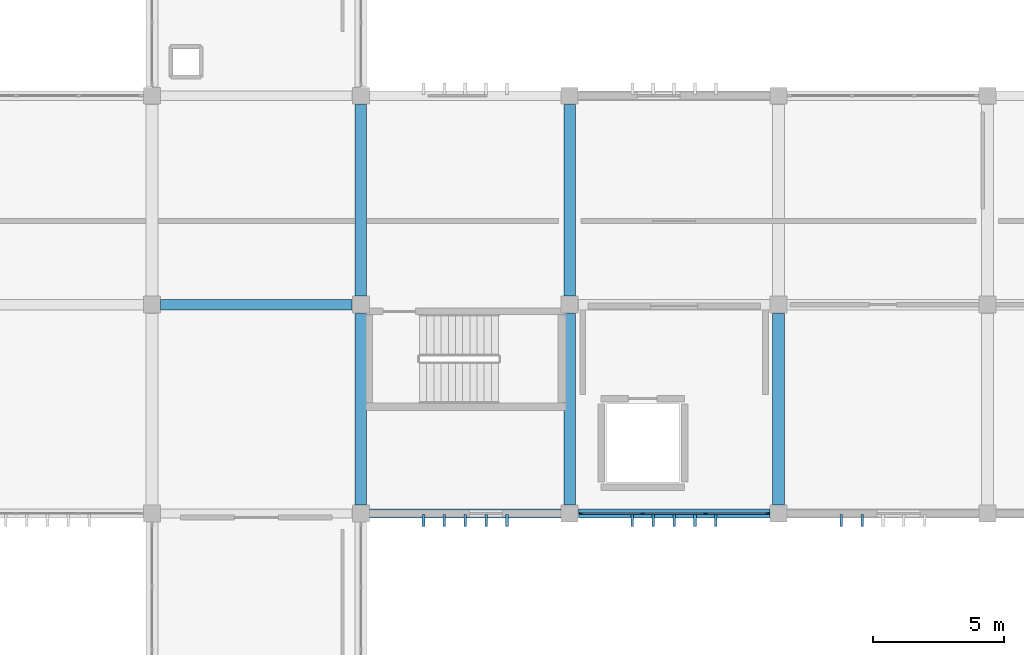
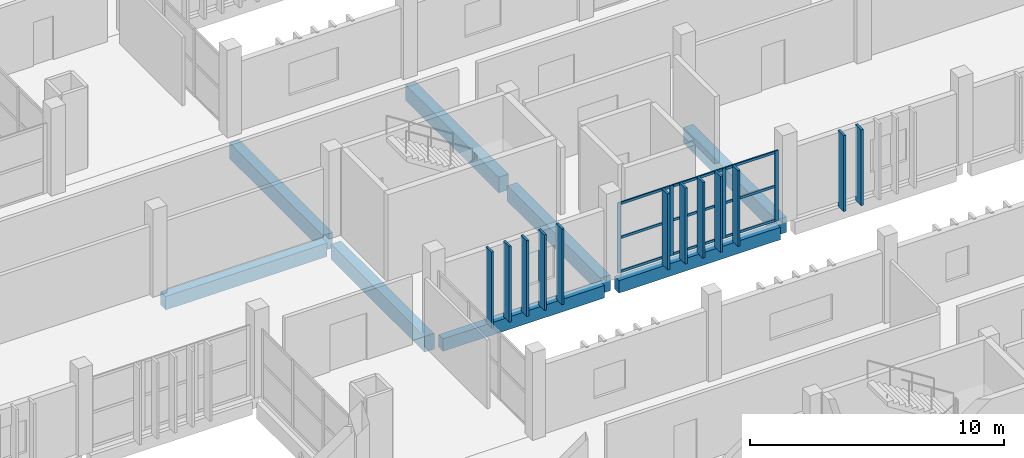
# One storey, part 25 of 137: 25 members, 8 beams, 1 element without a shape of its own.
"""IFC4 building model written with IfcOpenShell, lengths in metres."""

from ifc_helpers import new_model, si_unit, direction, frame, origin, origin_2d, place, context, subcontext, project, spatial, rectangle, extrude, material, layer, layer_set, material_profile, profile_set, type_object, element, aggregate, save


model = new_model("IFC4")

# Units and contexts
model_context = context("Model", 3, precision=1e-05, world=origin(), true_north=direction((0.0, 1.0)))
body_context = subcontext(model_context, "Body", "Model", "MODEL_VIEW")
ifc_project = project(units=[si_unit("LENGTHUNIT", "METRE"), si_unit("AREAUNIT", "SQUARE_METRE"), si_unit("VOLUMEUNIT", "CUBIC_METRE"), si_unit("PLANEANGLEUNIT", "RADIAN"), si_unit("MASSUNIT", "GRAM", prefix="KILO")], contexts=[model_context])

# Site, building, storey
site_placement = place(None, origin())
site = spatial("IfcSite", under=ifc_project, at=site_placement, CompositionType="ELEMENT")
building_placement = place(site_placement, origin())
building = spatial("IfcBuilding", under=site, at=building_placement, Name="Jelvoka-Kovrelna Polytechnic", CompositionType="ELEMENT")
storey_placement = place(building_placement, frame((0.0, 0.0, 9.60009765625)))
storey = spatial("IfcBuildingStorey", under=building, at=storey_placement, Name="L03", CompositionType="ELEMENT", Elevation=9.60009765625)

# Beams
ifc_material_1 = material(Name="Concrete C40/50", Category="concrete")
ifc_material_profile_1 = material_profile(ifc_material_1, rectangle(XDim=0.39990234375, YDim=0.64990234375, at=origin_2d()), Name="RC 400x650")
ifc_profile_set_1 = profile_set([ifc_material_profile_1], Name="Concrete C40/50")
beam_type_1 = type_object("IfcBeamType", Name="Beam_RC_400x650", PredefinedType="BEAM", material=ifc_profile_set_1)
beam_placement = place(storey_placement, frame((72.330078125, 40.0, -0.590087890625), z_axis=(1.0, 0.0, 0.0), x_axis=(0.0, 1.0, 0.0)))
element("IfcBeam", 1, at=beam_placement, inside=storey, type_object=beam_type_1, Name="L03 beam 0936", PredefinedType="BEAM", context=body_context, shape_type="SweptSolid", body=[
    extrude(rectangle(XDim=0.39990234375, YDim=0.64990234375, at=origin_2d()), origin(), (0.0, 0.0, 1.0), 7.33984375),
])
ifc_material_2 = material(Name="Concrete C40/50", Category="concrete")
ifc_material_profile_2 = material_profile(ifc_material_2, rectangle(XDim=0.449951171875, YDim=0.75, at=origin_2d()), Name="RC 450x750")
ifc_profile_set_2 = profile_set([ifc_material_profile_2], Name="Concrete C40/50")
beam_type_2 = type_object("IfcBeamType", Name="Beam_RC_450x750", PredefinedType="BEAM", material=ifc_profile_set_2)
for number, where, z_axis, x_axis, name in (
    (2, (80.0, 32.330078125, -0.64013671875), (0.0, 1.0, 0.0), (-1.0, 0.0, 0.0), "L03 beam 0953"),
    (3, (80.0, 40.330078125, -0.64013671875), (0.0, 1.0, 0.0), (-1.0, 0.0, 0.0), "L03 beam 0954"),
    (4, (88.0, 32.330078125, -0.64013671875), (0.0, 1.0, 0.0), (-1.0, 0.0, 0.0), "L03 beam 0955"),
    (5, (88.0, 40.330078125, -0.64013671875), (0.0, 1.0, 0.0), (-1.0, 0.0, 0.0), "L03 beam 0956"),
    (6, (96.0, 32.330078125, -0.64013671875), (0.0, 1.0, 0.0), (-1.0, 0.0, 0.0), "L03 beam 0957"),
):
    element("IfcBeam", number, at=place(storey_placement, frame(where, z_axis=z_axis, x_axis=x_axis)), inside=storey, type_object=beam_type_2, Name=name, PredefinedType="BEAM", context=body_context, shape_type="SweptSolid", body=[
        extrude(rectangle(XDim=0.449951171875, YDim=0.75, at=origin_2d()), origin(), (0.0, 0.0, 1.0), 7.33984375),
    ])

# Members
ifc_material_3 = material(Name="Precast concrete C40/50", Category="concrete")
ifc_material_profile_3 = material_profile(ifc_material_3, rectangle(XDim=0.10009765625, YDim=0.449951171875, at=origin_2d()), Name="PC 100x450")
ifc_profile_set_3 = profile_set([ifc_material_profile_3], Name="Precast concrete C40/50")
member_type_1 = type_object("IfcMemberType", Name="Louvre_Fin_100x450", PredefinedType="USERDEFINED", material=ifc_profile_set_3)
for number, where, z_axis, x_axis, name in (
    (7, (82.39990234375, 31.735107421875, -0.27001953125), (0.0, 0.0, 1.0), (1.0, 0.0, 0.0), "L03 B2W south vertical solar louvre fin 0666"),
    (8, (83.199951171875, 31.735107421875, -0.27001953125), (0.0, 0.0, 1.0), (1.0, 0.0, 0.0), "L03 B2W south vertical solar louvre fin 0667"),
    (9, (84.0, 31.735107421875, -0.27001953125), (0.0, 0.0, 1.0), (1.0, 0.0, 0.0), "L03 B2W south vertical solar louvre fin 0668"),
    (10, (84.800048828125, 31.735107421875, -0.27001953125), (0.0, 0.0, 1.0), (1.0, 0.0, 0.0), "L03 B2W south vertical solar louvre fin 0669"),
    (11, (85.60009765625, 31.735107421875, -0.27001953125), (0.0, 0.0, 1.0), (1.0, 0.0, 0.0), "L03 B2W south vertical solar louvre fin 0670"),
    (12, (90.39990234375, 31.735107421875, -0.27001953125), (0.0, 0.0, 1.0), (1.0, 0.0, 0.0), "L03 B2W south vertical solar louvre fin 0676"),
    (13, (91.199951171875, 31.735107421875, -0.27001953125), (0.0, 0.0, 1.0), (1.0, 0.0, 0.0), "L03 B2W south vertical solar louvre fin 0677"),
    (14, (92.0, 31.735107421875, -0.27001953125), (0.0, 0.0, 1.0), (1.0, 0.0, 0.0), "L03 B2W south vertical solar louvre fin 0678"),
    (15, (92.800048828125, 31.735107421875, -0.27001953125), (0.0, 0.0, 1.0), (1.0, 0.0, 0.0), "L03 B2W south vertical solar louvre fin 0679"),
    (16, (93.60009765625, 31.735107421875, -0.27001953125), (0.0, 0.0, 1.0), (1.0, 0.0, 0.0), "L03 B2W south vertical solar louvre fin 0680"),
    (17, (98.39990234375, 31.735107421875, -0.27001953125), (0.0, 0.0, 1.0), (1.0, 0.0, 0.0), "L03 B2W south vertical solar louvre fin 0686"),
    (18, (99.199951171875, 31.735107421875, -0.27001953125), (0.0, 0.0, 1.0), (1.0, 0.0, 0.0), "L03 B2W south vertical solar louvre fin 0687"),
):
    element("IfcMember", number, at=place(storey_placement, frame(where, z_axis=z_axis, x_axis=x_axis)), inside=storey, type_object=member_type_1, Name=name, ObjectType="SUNSHADE", PredefinedType="USERDEFINED", context=body_context, shape_type="SweptSolid", body=[
        extrude(rectangle(XDim=0.10009765625, YDim=0.449951171875, at=origin_2d()), origin(), (0.0, 0.0, 1.0), 3.64501953125),
    ])

# Curtain wall, members
ifc_material_4 = material(Name="Anodised aluminium 6063-T6", Category="aluminium")
ifc_layer = layer(ifc_material_4, 0.159912109375)
ifc_layer_set = layer_set([ifc_layer], Name="Anodised aluminium 6063-T6")
curtain_wall_type = type_object("IfcCurtainWallType", Name="CW_Recessed_A", PredefinedType="NOTDEFINED", material=ifc_layer_set)
curtain_wall_placement = place(storey_placement, origin())
curtain_wall = element("IfcCurtainWall", 19, at=curtain_wall_placement, inside=storey, type_object=curtain_wall_type, Name="L03 glazed curtain wall 023", PredefinedType="NOTDEFINED")
ifc_material_5 = material(Name="Anodised aluminium 6063-T6", Category="aluminium")
ifc_material_profile_4 = material_profile(ifc_material_5, rectangle(XDim=0.06005859375, YDim=0.159912109375, at=origin_2d()), Name="ALU 60x160")
ifc_profile_set_4 = profile_set([ifc_material_profile_4], Name="Anodised aluminium 6063-T6")
member_type_2 = type_object("IfcMemberType", Name="Mullion_M-01", PredefinedType="MULLION", material=ifc_profile_set_4)
member_1_placement = place(storey_placement, frame((95.570068359375, 32.0, -0.02490234375), z_axis=(0.0, 0.0, 1.0), x_axis=(0.0, -1.0, 0.0)))
member_1 = element("IfcMember", 20, at=member_1_placement, type_object=member_type_2, Name="CW-01 mullion 1", PredefinedType="MULLION", context=body_context, shape_type="SweptSolid", body=[
    extrude(rectangle(XDim=0.06005859375, YDim=0.159912109375, at=origin_2d()), origin(), (0.0, 0.0, 1.0), 3.375),
])
member_2_placement = place(storey_placement, frame((93.199951171875, 32.0, -0.02490234375), z_axis=(0.0, 0.0, 1.0), x_axis=(0.0, -1.0, 0.0)))
member_2 = element("IfcMember", 21, at=member_2_placement, type_object=member_type_2, Name="CW-01 mullion 2", PredefinedType="MULLION", context=body_context, shape_type="SweptSolid", body=[
    extrude(rectangle(XDim=0.06005859375, YDim=0.159912109375, at=origin_2d()), origin(), (0.0, 0.0, 1.0), 3.375),
])
member_3_placement = place(storey_placement, frame((90.800048828125, 32.0, -0.02490234375), z_axis=(0.0, 0.0, 1.0), x_axis=(0.0, -1.0, 0.0)))
member_3 = element("IfcMember", 22, at=member_3_placement, type_object=member_type_2, Name="CW-01 mullion 3", PredefinedType="MULLION", context=body_context, shape_type="SweptSolid", body=[
    extrude(rectangle(XDim=0.06005859375, YDim=0.159912109375, at=origin_2d()), origin(), (0.0, 0.0, 1.0), 3.375),
])
member_4_placement = place(storey_placement, frame((88.429931640625, 32.0, -0.02490234375), z_axis=(0.0, 0.0, 1.0), x_axis=(0.0, -1.0, 0.0)))
member_4 = element("IfcMember", 23, at=member_4_placement, type_object=member_type_2, Name="CW-01 mullion 4", PredefinedType="MULLION", context=body_context, shape_type="SweptSolid", body=[
    extrude(rectangle(XDim=0.06005859375, YDim=0.159912109375, at=origin_2d()), origin(), (0.0, 0.0, 1.0), 3.375),
])

# Beams
ifc_material_6 = material(Name="Concrete C40/50", Category="concrete")
ifc_material_profile_5 = material_profile(ifc_material_6, rectangle(XDim=0.35009765625, YDim=0.60009765625, at=origin_2d()), Name="RC 350x600")
ifc_profile_set_5 = profile_set([ifc_material_profile_5], Name="Concrete C40/50")
beam_type_3 = type_object("IfcBeamType", Name="Spandrel_RC_350x600", PredefinedType="SPANDREL", material=ifc_profile_set_5)
for number, where, z_axis, x_axis, name in (
    (24, (80.330078125, 32.0, -0.565185546875), (1.0, 0.0, 0.0), (0.0, 1.0, 0.0), "L03 beam 0930"),
    (25, (88.330078125, 32.0, -0.565185546875), (1.0, 0.0, 0.0), (0.0, 1.0, 0.0), "L03 beam 0931"),
):
    element("IfcBeam", number, at=place(storey_placement, frame(where, z_axis=z_axis, x_axis=x_axis)), inside=storey, type_object=beam_type_3, Name=name, PredefinedType="SPANDREL", context=body_context, shape_type="SweptSolid", body=[
        extrude(rectangle(XDim=0.35009765625, YDim=0.60009765625, at=origin_2d()), origin(), (0.0, 0.0, 1.0), 7.33984375),
    ])

# Member
ifc_material_7 = material(Name="Anodised aluminium 6063-T6", Category="aluminium")
ifc_material_profile_6 = material_profile(ifc_material_7, rectangle(XDim=0.06005859375, YDim=0.1201171875, at=origin_2d()), Name="ALU 60x120")
ifc_profile_set_6 = profile_set([ifc_material_profile_6], Name="Anodised aluminium 6063-T6")
member_type_3 = type_object("IfcMemberType", Name="Transom_T-01", PredefinedType="USERDEFINED", material=ifc_profile_set_6)
member_5_placement = place(storey_placement, frame((95.5400390625, 32.0, 0.02978515625), z_axis=(-1.0, 0.0, 0.0), x_axis=(0.0, -1.0, 0.0)))
member_5 = element("IfcMember", 26, at=member_5_placement, type_object=member_type_3, Name="CW-01 transom 1.1", ObjectType="TRANSOM", PredefinedType="USERDEFINED", context=body_context, shape_type="SweptSolid", body=[
    extrude(rectangle(XDim=0.06005859375, YDim=0.1201171875, at=origin_2d()), origin(), (0.0, 0.0, 1.0), 2.31005859375),
])

member_6_placement = place(storey_placement, frame((95.5400390625, 32.0, 1.662353515625), z_axis=(-1.0, 0.0, 0.0), x_axis=(0.0, -1.0, 0.0)))
member_6 = element("IfcMember", 27, at=member_6_placement, type_object=member_type_3, Name="CW-01 transom 1.2", ObjectType="TRANSOM", PredefinedType="USERDEFINED", context=body_context, shape_type="SweptSolid", body=[
    extrude(rectangle(XDim=0.06005859375, YDim=0.1201171875, at=origin_2d()), origin(), (0.0, 0.0, 1.0), 2.31005859375),
])

member_7_placement = place(storey_placement, frame((95.5400390625, 32.0, 3.294921875), z_axis=(-1.0, 0.0, 0.0), x_axis=(0.0, -1.0, 0.0)))
member_7 = element("IfcMember", 28, at=member_7_placement, type_object=member_type_3, Name="CW-01 transom 1.3", ObjectType="TRANSOM", PredefinedType="USERDEFINED", context=body_context, shape_type="SweptSolid", body=[
    extrude(rectangle(XDim=0.06005859375, YDim=0.1201171875, at=origin_2d()), origin(), (0.0, 0.0, 1.0), 2.31005859375),
])

member_8_placement = place(storey_placement, frame((93.169921875, 32.0, 0.02978515625), z_axis=(-1.0, 0.0, 0.0), x_axis=(0.0, -1.0, 0.0)))
member_8 = element("IfcMember", 29, at=member_8_placement, type_object=member_type_3, Name="CW-01 transom 2.1", ObjectType="TRANSOM", PredefinedType="USERDEFINED", context=body_context, shape_type="SweptSolid", body=[
    extrude(rectangle(XDim=0.06005859375, YDim=0.1201171875, at=origin_2d()), origin(), (0.0, 0.0, 1.0), 2.33984375),
])

member_9_placement = place(storey_placement, frame((93.169921875, 32.0, 1.662353515625), z_axis=(-1.0, 0.0, 0.0), x_axis=(0.0, -1.0, 0.0)))
member_9 = element("IfcMember", 30, at=member_9_placement, type_object=member_type_3, Name="CW-01 transom 2.2", ObjectType="TRANSOM", PredefinedType="USERDEFINED", context=body_context, shape_type="SweptSolid", body=[
    extrude(rectangle(XDim=0.06005859375, YDim=0.1201171875, at=origin_2d()), origin(), (0.0, 0.0, 1.0), 2.33984375),
])

member_10_placement = place(storey_placement, frame((93.169921875, 32.0, 3.294921875), z_axis=(-1.0, 0.0, 0.0), x_axis=(0.0, -1.0, 0.0)))
member_10 = element("IfcMember", 31, at=member_10_placement, type_object=member_type_3, Name="CW-01 transom 2.3", ObjectType="TRANSOM", PredefinedType="USERDEFINED", context=body_context, shape_type="SweptSolid", body=[
    extrude(rectangle(XDim=0.06005859375, YDim=0.1201171875, at=origin_2d()), origin(), (0.0, 0.0, 1.0), 2.33984375),
])

member_11_placement = place(storey_placement, frame((90.77001953125, 32.0, 0.02978515625), z_axis=(-1.0, 0.0, 0.0), x_axis=(0.0, -1.0, 0.0)))
member_11 = element("IfcMember", 32, at=member_11_placement, type_object=member_type_3, Name="CW-01 transom 3.1", ObjectType="TRANSOM", PredefinedType="USERDEFINED", context=body_context, shape_type="SweptSolid", body=[
    extrude(rectangle(XDim=0.06005859375, YDim=0.1201171875, at=origin_2d()), origin(), (0.0, 0.0, 1.0), 2.31005859375),
])

member_12_placement = place(storey_placement, frame((90.77001953125, 32.0, 1.662353515625), z_axis=(-1.0, 0.0, 0.0), x_axis=(0.0, -1.0, 0.0)))
member_12 = element("IfcMember", 33, at=member_12_placement, type_object=member_type_3, Name="CW-01 transom 3.2", ObjectType="TRANSOM", PredefinedType="USERDEFINED", context=body_context, shape_type="SweptSolid", body=[
    extrude(rectangle(XDim=0.06005859375, YDim=0.1201171875, at=origin_2d()), origin(), (0.0, 0.0, 1.0), 2.31005859375),
])

member_13_placement = place(storey_placement, frame((90.77001953125, 32.0, 3.294921875), z_axis=(-1.0, 0.0, 0.0), x_axis=(0.0, -1.0, 0.0)))
member_13 = element("IfcMember", 34, at=member_13_placement, type_object=member_type_3, Name="CW-01 transom 3.3", ObjectType="TRANSOM", PredefinedType="USERDEFINED", context=body_context, shape_type="SweptSolid", body=[
    extrude(rectangle(XDim=0.06005859375, YDim=0.1201171875, at=origin_2d()), origin(), (0.0, 0.0, 1.0), 2.31005859375),
])

aggregate(curtain_wall, [member_1, member_2, member_3, member_4, member_5, member_6, member_7, member_8, member_9, member_10, member_11, member_12, member_13])

save(model, "model.ifc")
